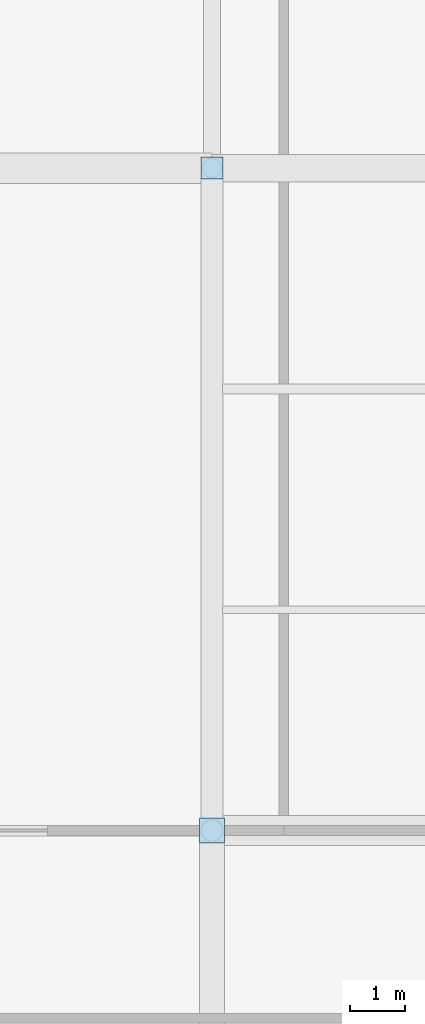
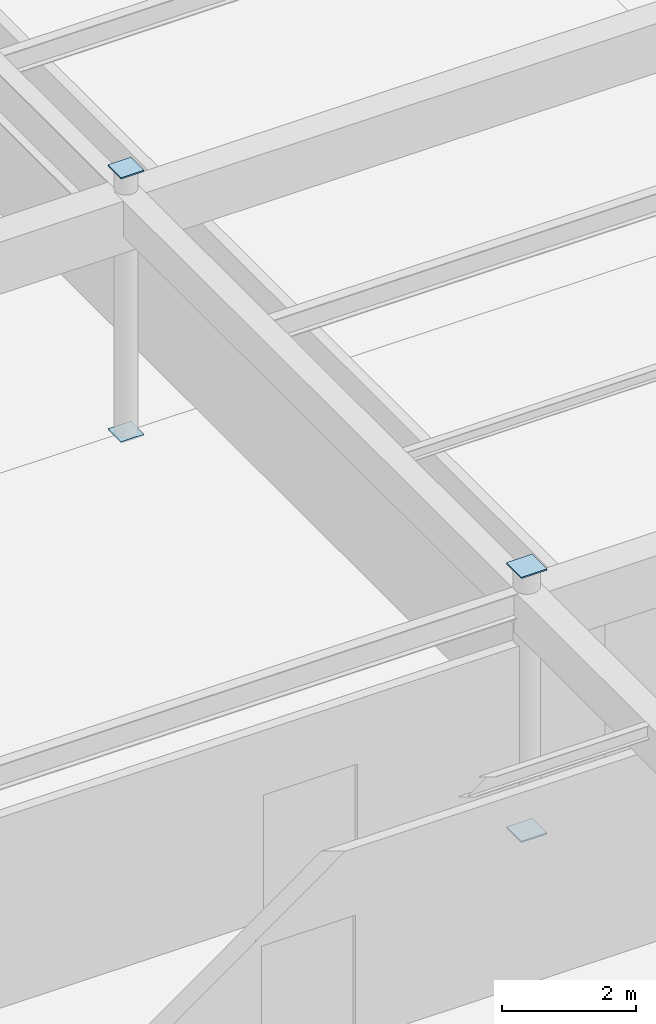
# One storey, part 139 of 199: 4 plates.
"""IFC4 building model written with IfcOpenShell, lengths in metres."""

from ifc_helpers import new_model, si_unit, direction, frame, origin, origin_2d, place, context, subcontext, project, spatial, rectangle, extrude, material, layer, layer_set, type_object, element, save


model = new_model("IFC4")

# Units and contexts
model_context = context("Model", 3, precision=1e-05, world=origin(), true_north=direction((0.0, 1.0)))
body_context = subcontext(model_context, "Body", "Model", "MODEL_VIEW")
ifc_project = project(units=[si_unit("LENGTHUNIT", "METRE"), si_unit("AREAUNIT", "SQUARE_METRE"), si_unit("VOLUMEUNIT", "CUBIC_METRE"), si_unit("PLANEANGLEUNIT", "RADIAN"), si_unit("MASSUNIT", "GRAM", prefix="KILO")], contexts=[model_context])

# Site, building, storey
site_placement = place(None, origin())
site = spatial("IfcSite", under=ifc_project, at=site_placement, CompositionType="ELEMENT")
building_placement = place(site_placement, origin())
building = spatial("IfcBuilding", under=site, at=building_placement, Name="Tarnwether General Hospital", CompositionType="ELEMENT")
storey_placement = place(building_placement, origin())
storey = spatial("IfcBuildingStorey", under=building, at=storey_placement, Name="L00", CompositionType="ELEMENT", Elevation=0.0)

# Plates
ifc_material = material(Name="Steel Grade 350 (350 MPa)", Category="steel")
ifc_layer = layer(ifc_material, 0.02490234375)
ifc_layer_set = layer_set([ifc_layer], Name="Steel Grade 350 (350 MPa)")
plate_type = type_object("IfcPlateType", Name="PT-GUS2", PredefinedType="USERDEFINED", material=ifc_layer_set)
for number, where, z_axis, x_axis, name in (
    (1, (48.0, 69.60009765625, -0.02490234375), (0.0, 0.0, 1.0), (1.0, 0.0, 0.0), "Hollow Section Welded End Cap Plate 0083"),
    (2, (48.0, 69.60009765625, 4.800048828125), (0.0, 0.0, 1.0), (1.0, 0.0, 0.0), "Hollow Section Welded End Cap Plate 0084"),
):
    element("IfcPlate", number, at=place(storey_placement, frame(where, z_axis=z_axis, x_axis=x_axis)), inside=storey, type_object=plate_type, Name=name, ObjectType="GUSSET", PredefinedType="USERDEFINED", context=body_context, shape_type="SweptSolid", body=[
        extrude(rectangle(XDim=0.446044921875, YDim=0.446044921875, at=origin_2d()), origin(), (0.0, 0.0, 1.0), 0.02490234375),
    ])
for number, where, z_axis, x_axis, name in (
    (3, (48.0, 81.60009765625, -0.02490234375), (0.0, 0.0, 1.0), (1.0, 0.0, 0.0), "Hollow Section Welded End Cap Plate 0091"),
    (4, (48.0, 81.60009765625, 4.800048828125), (0.0, 0.0, 1.0), (1.0, 0.0, 0.0), "Hollow Section Welded End Cap Plate 0092"),
):
    element("IfcPlate", number, at=place(storey_placement, frame(where, z_axis=z_axis, x_axis=x_axis)), inside=storey, type_object=plate_type, Name=name, ObjectType="GUSSET", PredefinedType="USERDEFINED", context=body_context, shape_type="SweptSolid", body=[
        extrude(rectangle(XDim=0.39599609375, YDim=0.39599609375, at=origin_2d()), origin(), (0.0, 0.0, 1.0), 0.02490234375),
    ])

save(model, "model.ifc")
